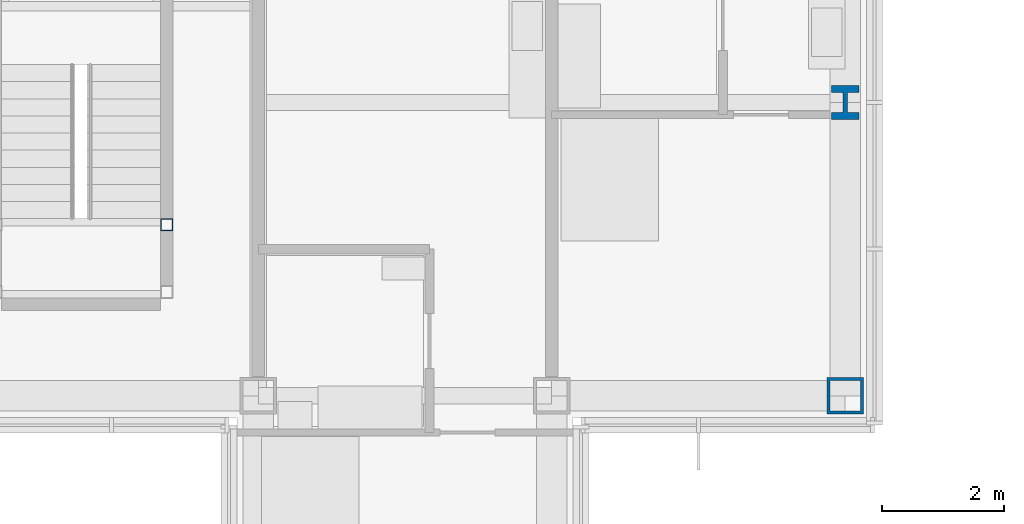
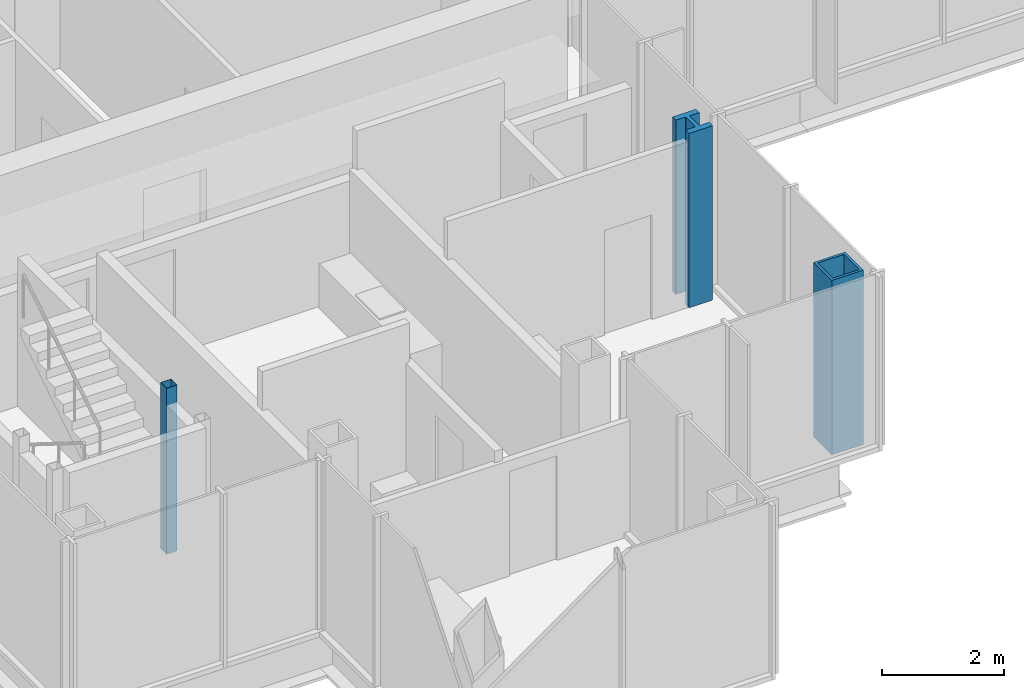
# One storey, part 2 of 15: 3 columns.
"""IFC4 building model written with IfcOpenShell, lengths in metres."""

import ifcopenshell
import ifcopenshell.guid

model = None  # the IFC model being written
_history = None  # IfcOwnerHistory: only IFC2X3 demands one
_inside = {}  # id of a spatial element -> (the spatial element, [elements in it])
_under = {}  # id of a project, library or spatial element -> (it, [spatial elements below it])
_declared = {}  # id of a project -> (the project, [libraries it declares])
_typed = {}  # id of a type object -> (the type object, [elements of that type])
_made_of = {}  # id of a material, layer set ... -> (it, [elements and type objects made of it])


def new_model(schema):
    """Start an empty IFC model of exactly this schema.

    Asked for "IFC4X3", IfcOpenShell would pick the latest addendum, in which some entities
    have other attributes; the version numbers below select the first issue.
    IFC2X3 requires an IfcOwnerHistory on every rooted entity: one is made here for all.
    """
    global model, _history
    if schema == "IFC4X3":
        model = ifcopenshell.file(schema_version=(4, 3, 0, 0))
    else:
        model = ifcopenshell.file(schema=schema)
    _inside.clear()
    _under.clear()
    _declared.clear()
    _typed.clear()
    _made_of.clear()
    _history = None
    if model.schema == "IFC2X3":
        org = make("IfcOrganization", Name="unknown")
        user = make(
            "IfcPersonAndOrganization",
            ThePerson=make("IfcPerson", FamilyName="unknown"),
            TheOrganization=org,
        )
        app = make(
            "IfcApplication",
            ApplicationDeveloper=org,
            Version="unknown",
            ApplicationFullName="unknown",
            ApplicationIdentifier="unknown",
        )
        _history = make(
            "IfcOwnerHistory",
            OwningUser=user,
            OwningApplication=app,
            ChangeAction="ADDED",
            CreationDate=0,
        )
    return model


def make(cls, **values):
    """One entity of the class cls with the attributes given. An attribute that is None is left unset."""
    return model.create_entity(
        cls, **{name: value for name, value in values.items() if value is not None}
    )


def rooted(cls, **values):
    """An entity with a GlobalId (a new one), such as an element, a storey or a relation."""
    return make(cls, GlobalId=ifcopenshell.guid.new(), OwnerHistory=_history, **values)


def si_unit(unit_type, name, prefix=None):
    """IfcSIUnit, for example si_unit("LENGTHUNIT", "METRE", prefix="MILLI")."""
    return make("IfcSIUnit", UnitType=unit_type, Prefix=prefix, Name=name)


def assignment(units):
    """IfcUnitAssignment: the units of a project."""
    return None if units is None else make("IfcUnitAssignment", Units=units)


def point(xyz):
    """IfcCartesianPoint."""
    return None if xyz is None else make("IfcCartesianPoint", Coordinates=xyz)


def direction(xyz):
    """IfcDirection."""
    return None if xyz is None else make("IfcDirection", DirectionRatios=xyz)


def frame(location, z_axis=None, x_axis=None):
    """IfcAxis2Placement3D, a coordinate frame: its origin and axes. An axis left out is left unset."""
    return make(
        "IfcAxis2Placement3D",
        Location=point(location),
        Axis=direction(z_axis),
        RefDirection=direction(x_axis),
    )


def frame_2d(location, x_axis=None):
    """IfcAxis2Placement2D, a coordinate frame in the plane: its origin and x axis."""
    return make(
        "IfcAxis2Placement2D", Location=point(location), RefDirection=direction(x_axis)
    )


def origin():
    """The frame at (0, 0, 0) with its axes left unset."""
    return frame((0.0, 0.0, 0.0))


def origin_2d():
    """The frame at (0, 0) in the plane with its x axis left unset."""
    return frame_2d((0.0, 0.0))


def place(relative_to, where):
    """IfcLocalPlacement: puts the frame where relative to a parent placement (None: the world)."""
    return make(
        "IfcLocalPlacement", PlacementRelTo=relative_to, RelativePlacement=where
    )


def context(
    kind, dimensions, precision=None, world=None, true_north=None, identifier=None
):
    """IfcGeometricRepresentationContext, for example the 3D "Model" context."""
    return make(
        "IfcGeometricRepresentationContext",
        ContextIdentifier=identifier,
        ContextType=kind,
        CoordinateSpaceDimension=dimensions,
        Precision=precision,
        WorldCoordinateSystem=world,
        TrueNorth=true_north,
    )


def subcontext(parent, identifier, kind, view, scale=None):
    """IfcGeometricRepresentationSubContext, for example "Body" below "Model"."""
    return make(
        "IfcGeometricRepresentationSubContext",
        ContextIdentifier=identifier,
        ContextType=kind,
        ParentContext=parent,
        TargetScale=scale,
        TargetView=view,
    )


def project(units=None, contexts=None):
    """IfcProject with its units and contexts."""
    return rooted(
        "IfcProject",
        Name="project",
        RepresentationContexts=contexts,
        UnitsInContext=assignment(units),
    )


def spatial(cls, under=None, at=None, **own):
    """A site, building, storey or space (cls), placed at a placement, below another one or the project."""
    s = rooted(cls, ObjectPlacement=at, **own)
    if under is not None:
        _under.setdefault(under.id(), (under, []))[1].append(s)
    return s


def profile(cls, at=None, kind="AREA", **sizes):
    """A parametric profile (cls). Its sizes go by their IFC names, for example OverallWidth=200.0."""
    return make(cls, ProfileType=kind, Position=at, **sizes)


def hollow_rectangle(**sizes):
    """IfcRectangleHollowProfileDef."""
    return profile("IfcRectangleHollowProfileDef", **sizes)


def i_section(**sizes):
    """IfcIShapeProfileDef."""
    return profile("IfcIShapeProfileDef", **sizes)


def extrude(swept, where, along, depth):
    """IfcExtrudedAreaSolid: the profile swept, set in the frame where, extruded along a direction by depth."""
    return make(
        "IfcExtrudedAreaSolid",
        SweptArea=swept,
        Position=where,
        ExtrudedDirection=direction(along),
        Depth=depth,
    )


def shape(context_of_items, identifier, shape_type, items):
    """IfcShapeRepresentation: the items that make up one representation, for example the "Body"."""
    return make(
        "IfcShapeRepresentation",
        ContextOfItems=context_of_items,
        RepresentationIdentifier=identifier,
        RepresentationType=shape_type,
        Items=items,
    )


def material(Name=None, Category=None):
    """IfcMaterial."""
    return make("IfcMaterial", Name=Name, Category=Category)


def material_profile(
    of_material, cross_section, Name=None, Category=None, Priority=None
):
    """IfcMaterialProfile: a cross section and its material."""
    return make(
        "IfcMaterialProfile",
        Name=Name,
        Material=of_material,
        Profile=cross_section,
        Priority=Priority,
        Category=Category,
    )


def profile_set(profiles, Name=None, composite=None):
    """IfcMaterialProfileSet."""
    return make(
        "IfcMaterialProfileSet",
        Name=Name,
        MaterialProfiles=profiles,
        CompositeProfile=composite,
    )


def made_of(thing, what):
    """Note that an element or type object is made of a material, layer set ...; save() writes the relation."""
    if what is not None:
        _made_of.setdefault(what.id(), (what, []))[1].append(thing)
    return thing


def type_object(cls, material=None, **own):
    """A type object (cls), such as IfcWallType, which elements share."""
    return made_of(rooted(cls, **own), material)


def element(
    cls,
    number,
    at=None,
    inside=None,
    cuts=None,
    type_object=None,
    material=None,
    context=None,
    identifier="Body",
    shape_type=None,
    held_by="IfcProductDefinitionShape",
    body=None,
    shapes=None,
    **own,
):
    """One element of the class cls, such as IfcWall. Its Tag is "e" and its number.

    at: its placement. inside: the storey or other place that contains it. cuts: it is an
    opening in that element (IfcRelVoidsElement). A single representation is given by context,
    identifier, shape_type and body (its items); several are given by shapes. held_by: the class
    of the entity that holds the representations. save() writes the other relations.
    """
    e = rooted(cls, Tag="e%d" % number, ObjectPlacement=at, **own)
    if body is not None:
        shapes = [shape(context, identifier, shape_type, body)]
    if shapes is not None:
        e.Representation = make(held_by, Representations=shapes)
    if inside is not None:
        _inside.setdefault(inside.id(), (inside, []))[1].append(e)
    if cuts is not None:
        rooted(
            "IfcRelVoidsElement", RelatingBuildingElement=cuts, RelatedOpeningElement=e
        )
    if type_object is not None:
        _typed.setdefault(type_object.id(), (type_object, []))[1].append(e)
    return made_of(e, material)


def aggregate(whole, parts):
    """IfcRelAggregates: a whole, such as a stair, and the parts it consists of."""
    return rooted("IfcRelAggregates", RelatingObject=whole, RelatedObjects=parts)


def save(model, path):
    """Write the relations noted so far, then the file.

    IfcRelAggregates (storeys below a building ...), IfcRelContainedInSpatialStructure (elements
    in a storey), IfcRelDefinesByType, IfcRelAssociatesMaterial and IfcRelDeclares: one each for
    every whole, place, type object, material and project.
    """
    for whole, parts in _under.values():
        aggregate(whole, parts)
    for where, things in _inside.values():
        rooted(
            "IfcRelContainedInSpatialStructure",
            RelatedElements=things,
            RelatingStructure=where,
        )
    for kind, things in _typed.values():
        rooted("IfcRelDefinesByType", RelatedObjects=things, RelatingType=kind)
    for what, things in _made_of.values():
        rooted("IfcRelAssociatesMaterial", RelatedObjects=things, RelatingMaterial=what)
    for by, libraries in _declared.values():
        rooted("IfcRelDeclares", RelatingContext=by, RelatedDefinitions=libraries)
    model.write(path)


model = new_model("IFC4")

# Units and contexts
model_context = context("Model", 3, precision=1e-05, world=origin(), true_north=direction((0.0, 1.0)))
body_context = subcontext(model_context, "Body", "Model", "MODEL_VIEW")
ifc_project = project(units=[si_unit("LENGTHUNIT", "METRE"), si_unit("AREAUNIT", "SQUARE_METRE"), si_unit("VOLUMEUNIT", "CUBIC_METRE"), si_unit("PLANEANGLEUNIT", "RADIAN"), si_unit("MASSUNIT", "GRAM", prefix="KILO")], contexts=[model_context])

# Site, building, storey
site_placement = place(None, origin())
site = spatial("IfcSite", under=ifc_project, at=site_placement, CompositionType="ELEMENT")
building_placement = place(site_placement, origin())
building = spatial("IfcBuilding", under=site, at=building_placement, Name="Kvirike Care Tower", CompositionType="ELEMENT")
storey_placement = place(building_placement, frame((0.0, 0.0, 222.5)))
storey = spatial("IfcBuildingStorey", under=building, at=storey_placement, Name="L61", CompositionType="ELEMENT", Elevation=222.5)

# Columns
ifc_material_1 = material(Name="Steel S460", Category="steel")
ifc_material_profile_1 = material_profile(ifc_material_1, hollow_rectangle(XDim=0.60009765625, YDim=0.60009765625, WallThickness=0.050048828125, at=origin_2d()), Name="BX 600x600x50")
ifc_profile_set_1 = profile_set([ifc_material_profile_1], Name="Steel S460")
column_type_1 = type_object("IfcColumnType", Name="COLUMN BX 600x600x50", PredefinedType="COLUMN", material=ifc_profile_set_1)
column_1_placement = place(storey_placement, frame((28.800048828125, 19.199951171875, 0.0), z_axis=(0.0, 0.0, 1.0), x_axis=(0.0, 1.0, 0.0)))
element("IfcColumn", 1, at=column_1_placement, inside=storey, type_object=column_type_1, Name="Column E9 L61", PredefinedType="COLUMN", context=body_context, shape_type="SweptSolid", body=[
    extrude(hollow_rectangle(XDim=0.60009765625, YDim=0.60009765625, WallThickness=0.050048828125, at=origin_2d()), origin(), (0.0, 0.0, 1.0), 3.5),
])
ifc_material_2 = material(Name="Steel S460", Category="steel")
ifc_material_profile_2 = material_profile(ifc_material_2, i_section(OverallWidth=0.447998046875, OverallDepth=0.550048828125, WebThickness=0.072021484375, FlangeThickness=0.114990234375, FilletRadius=0.014892578125, at=origin_2d()), Name="HD 400x990")
ifc_profile_set_2 = profile_set([ifc_material_profile_2], Name="Steel S460")
column_type_2 = type_object("IfcColumnType", Name="COLUMN HD 400x990", PredefinedType="COLUMN", material=ifc_profile_set_2)
column_2_placement = place(storey_placement, frame((28.800048828125, 24.0, 0.0), z_axis=(0.0, 0.0, 1.0), x_axis=(1.0, 0.0, 0.0)))
element("IfcColumn", 2, at=column_2_placement, inside=storey, type_object=column_type_2, Name="Column F9 L61", PredefinedType="COLUMN", context=body_context, shape_type="SweptSolid", body=[
    extrude(i_section(OverallWidth=0.447998046875, OverallDepth=0.550048828125, WebThickness=0.072021484375, FlangeThickness=0.114990234375, FilletRadius=0.014892578125, at=origin_2d()), origin(), (0.0, 0.0, 1.0), 3.5),
])
ifc_material_3 = material(Name="Steel S460", Category="steel")
ifc_material_profile_3 = material_profile(ifc_material_3, hollow_rectangle(XDim=0.199951171875, YDim=0.199951171875, WallThickness=0.008056640625, at=origin_2d()), Name="SHS 200x200x8")
ifc_profile_set_3 = profile_set([ifc_material_profile_3], Name="Steel S460")
column_type_3 = type_object("IfcColumnType", Name="STAIR POST SHS 200x200x8", PredefinedType="COLUMN", material=ifc_profile_set_3)
column_3_placement = place(storey_placement, frame((17.699951171875, 22.0, 0.0), z_axis=(0.0, 0.0, 1.0), x_axis=(1.0, 0.0, 0.0)))
element("IfcColumn", 3, at=column_3_placement, inside=storey, type_object=column_type_3, Name="Stair 5 post 4 L61", PredefinedType="COLUMN", context=body_context, shape_type="SweptSolid", body=[
    extrude(hollow_rectangle(XDim=0.199951171875, YDim=0.199951171875, WallThickness=0.008056640625, at=origin_2d()), origin(), (0.0, 0.0, 1.0), 3.330078125),
])

save(model, "model.ifc")
